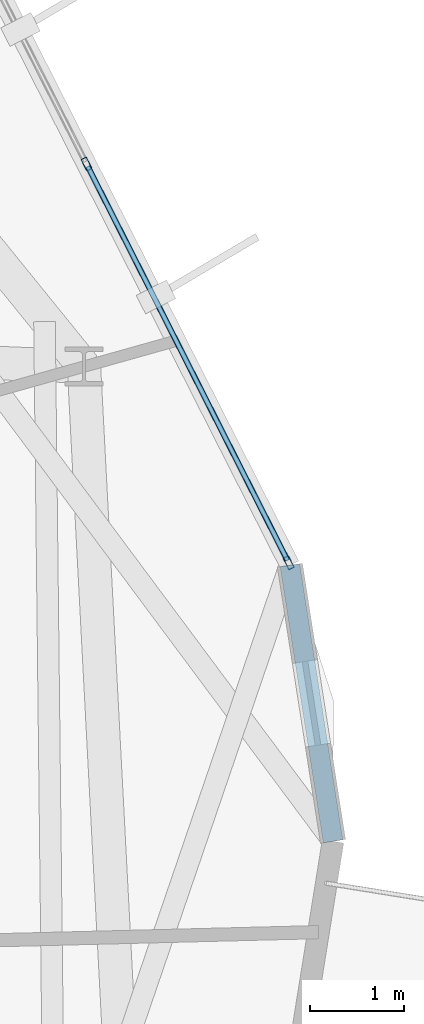
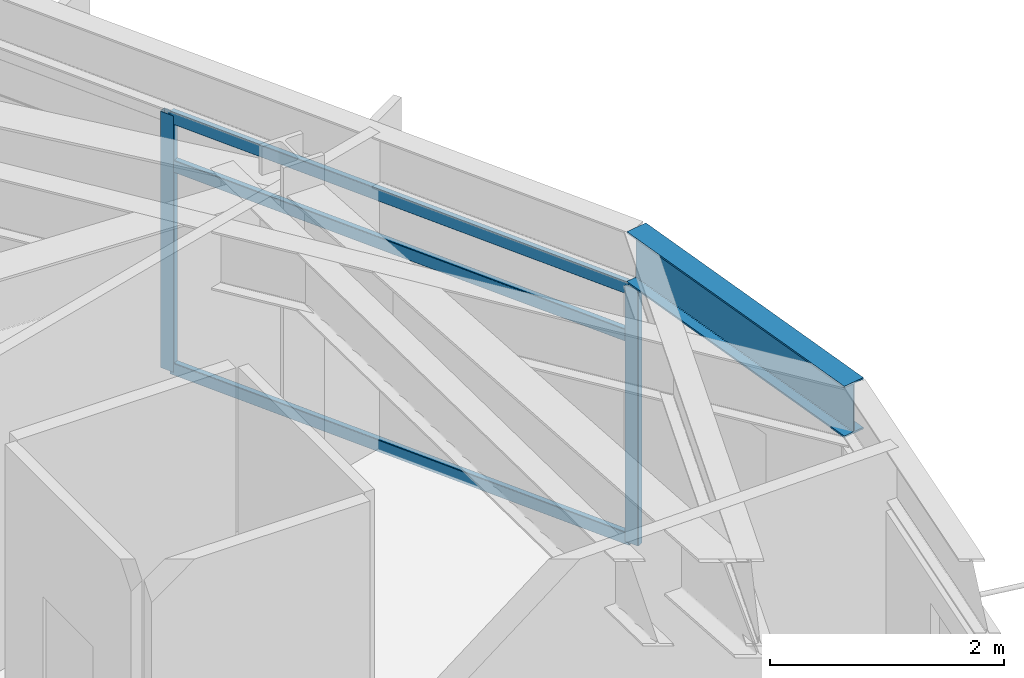
# One storey, part 12 of 27: 5 members, 1 beam, 1 element without a shape of its own.
"""IFC4 building model written with IfcOpenShell, lengths in metres."""

from ifc_helpers import new_model, si_unit, direction, frame, origin, origin_2d, place, context, subcontext, project, spatial, hollow_rectangle, i_section, extrude, material, layer, layer_set, material_profile, profile_set, type_object, element, aggregate, save


model = new_model("IFC4")

# Units and contexts
model_context = context("Model", 3, precision=1e-05, world=origin(), true_north=direction((0.0, 1.0)))
body_context = subcontext(model_context, "Body", "Model", "MODEL_VIEW")
ifc_project = project(units=[si_unit("LENGTHUNIT", "METRE"), si_unit("AREAUNIT", "SQUARE_METRE"), si_unit("VOLUMEUNIT", "CUBIC_METRE"), si_unit("PLANEANGLEUNIT", "RADIAN"), si_unit("MASSUNIT", "GRAM", prefix="KILO")], contexts=[model_context])

# Site, building, storey
site_placement = place(None, origin())
site = spatial("IfcSite", under=ifc_project, at=site_placement, CompositionType="ELEMENT")
building_placement = place(site_placement, origin())
building = spatial("IfcBuilding", under=site, at=building_placement, Name="Soratama Intermodal Tower", CompositionType="ELEMENT")
storey_placement = place(building_placement, frame((0.0, 0.0, 197.800048828125)))
storey = spatial("IfcBuildingStorey", under=building, at=storey_placement, Name="L49", CompositionType="ELEMENT", Elevation=197.800048828125)

# Beam
ifc_material_1 = material(Name="Structural steel ASTM A992 Grade 50", Category="steel")
ifc_material_profile_1 = material_profile(ifc_material_1, i_section(OverallWidth=0.2099609375, OverallDepth=0.537109375, WebThickness=0.010986328125, FlangeThickness=0.017333984375, FilletRadius=0.012939453125, at=origin_2d()), Name="W21X68")
ifc_profile_set_1 = profile_set([ifc_material_profile_1], Name="Structural steel ASTM A992 Grade 50")
beam_type = type_object("IfcBeamType", Name="BM-SPN-W21X68", PredefinedType="SPANDREL", material=ifc_profile_set_1)
beam_placement = place(storey_placement, frame((65.010009765625, 26.625, 3.031494140625), z_axis=(-0.15439445428, 0.988009287652, 0.0), x_axis=(-0.988009287652, -0.15439445428, 0.0)))
element("IfcBeam", 1, at=beam_placement, inside=storey, type_object=beam_type, Name="BS-L49-CRN09", PredefinedType="SPANDREL", context=body_context, shape_type="SweptSolid", body=[
    extrude(i_section(OverallWidth=0.2099609375, OverallDepth=0.537109375, WebThickness=0.010986328125, FlangeThickness=0.017333984375, FilletRadius=0.012939453125, at=origin_2d()), origin(), (0.0, 0.0, 1.0), 2.966552734375),
])

# Curtain wall, members
ifc_material_2 = material(Name="Double-glazed aluminium curtain wall", Category="aluminium")
ifc_layer = layer(ifc_material_2, 0.159912109375)
ifc_layer_set = layer_set([ifc_layer], Name="Double-glazed aluminium curtain wall")
curtain_wall_type = type_object("IfcCurtainWallType", Name="CW-SYS-5", PredefinedType="NOTDEFINED", material=ifc_layer_set)
curtain_wall_placement = place(storey_placement, origin())
curtain_wall = element("IfcCurtainWall", 2, at=curtain_wall_placement, inside=storey, type_object=curtain_wall_type, Name="L49 Faceted Curtain Wall F10", PredefinedType="NOTDEFINED")
ifc_material_3 = material(Name="Anodised aluminium AA 6063-T6", Category="aluminium")
ifc_material_profile_2 = material_profile(ifc_material_3, hollow_rectangle(XDim=0.06494140625, YDim=0.139892578125, WallThickness=0.0048828125, InnerFilletRadius=0.0048828125, OuterFilletRadius=0.010009765625, at=origin_2d()), Name="CWM140X65X5")
ifc_profile_set_2 = profile_set([ifc_material_profile_2], Name="Anodised aluminium AA 6063-T6")
member_type_1 = type_object("IfcMemberType", Name="MT-CWM-5", PredefinedType="MULLION", material=ifc_profile_set_2)
member_1_placement = place(storey_placement, frame((64.53857421875, 29.582763671875, 0.0), z_axis=(0.0, 0.0, 1.0), x_axis=(-0.891957765686, -0.452118728027, 0.0)))
member_1 = element("IfcMember", 3, at=member_1_placement, type_object=member_type_1, Name="CW-5 mullion 1", PredefinedType="MULLION", context=body_context, shape_type="SweptSolid", body=[
    extrude(hollow_rectangle(XDim=0.06494140625, YDim=0.139892578125, WallThickness=0.0048828125, InnerFilletRadius=0.0048828125, OuterFilletRadius=0.010009765625, at=origin_2d()), origin(), (0.0, 0.0, 1.0), 2.678955078125),
])
member_2_placement = place(storey_placement, frame((62.392822265625, 33.816162109375, 0.0), z_axis=(0.0, 0.0, 1.0), x_axis=(-0.891957765686, -0.452118728027, 0.0)))
member_2 = element("IfcMember", 4, at=member_2_placement, type_object=member_type_1, Name="CW-5 mullion 2", PredefinedType="MULLION", context=body_context, shape_type="SweptSolid", body=[
    extrude(hollow_rectangle(XDim=0.06494140625, YDim=0.139892578125, WallThickness=0.0048828125, InnerFilletRadius=0.0048828125, OuterFilletRadius=0.010009765625, at=origin_2d()), origin(), (0.0, 0.0, 1.0), 2.678955078125),
])
ifc_material_4 = material(Name="Anodised aluminium AA 6063-T6", Category="aluminium")
ifc_material_profile_3 = material_profile(ifc_material_4, hollow_rectangle(XDim=0.06005859375, YDim=0.1298828125, WallThickness=0.0048828125, InnerFilletRadius=0.0048828125, OuterFilletRadius=0.010009765625, at=origin_2d()), Name="CWT130X60X5")
ifc_profile_set_3 = profile_set([ifc_material_profile_3], Name="Anodised aluminium AA 6063-T6")
member_type_2 = type_object("IfcMemberType", Name="TT-CWT-2", PredefinedType="USERDEFINED", material=ifc_profile_set_3)
member_3_placement = place(storey_placement, frame((64.525146484375, 29.609619140625, 0.030029296875), z_axis=(-0.452145526119, 0.891944181667, 0.0), x_axis=(-0.891944181667, -0.452145526119, 0.0)))
member_3 = element("IfcMember", 5, at=member_3_placement, type_object=member_type_2, Name="CW-5 transom 1.1", ObjectType="TRANSOM", PredefinedType="USERDEFINED", context=body_context, shape_type="SweptSolid", body=[
    extrude(hollow_rectangle(XDim=0.06005859375, YDim=0.1298828125, WallThickness=0.0048828125, InnerFilletRadius=0.0048828125, OuterFilletRadius=0.010009765625, at=origin_2d()), origin(), (0.0, 0.0, 1.0), 4.686279296875),
])
member_4_placement = place(storey_placement, frame((64.525146484375, 29.609619140625, 2.14990234375), z_axis=(-0.452145526119, 0.891944181667, 0.0), x_axis=(-0.891944181667, -0.452145526119, 0.0)))
member_4 = element("IfcMember", 6, at=member_4_placement, type_object=member_type_2, Name="CW-5 transom 1.2", ObjectType="TRANSOM", PredefinedType="USERDEFINED", context=body_context, shape_type="SweptSolid", body=[
    extrude(hollow_rectangle(XDim=0.06005859375, YDim=0.1298828125, WallThickness=0.0048828125, InnerFilletRadius=0.0048828125, OuterFilletRadius=0.010009765625, at=origin_2d()), origin(), (0.0, 0.0, 1.0), 4.686279296875),
])
member_5_placement = place(storey_placement, frame((64.525146484375, 29.609619140625, 2.64892578125), z_axis=(-0.452145526119, 0.891944181667, 0.0), x_axis=(-0.891944181667, -0.452145526119, 0.0)))
member_5 = element("IfcMember", 7, at=member_5_placement, type_object=member_type_2, Name="CW-5 transom 1.3", ObjectType="TRANSOM", PredefinedType="USERDEFINED", context=body_context, shape_type="SweptSolid", body=[
    extrude(hollow_rectangle(XDim=0.06005859375, YDim=0.1298828125, WallThickness=0.0048828125, InnerFilletRadius=0.0048828125, OuterFilletRadius=0.010009765625, at=origin_2d()), origin(), (0.0, 0.0, 1.0), 4.686279296875),
])
aggregate(curtain_wall, [member_1, member_2, member_3, member_4, member_5])

save(model, "model.ifc")
